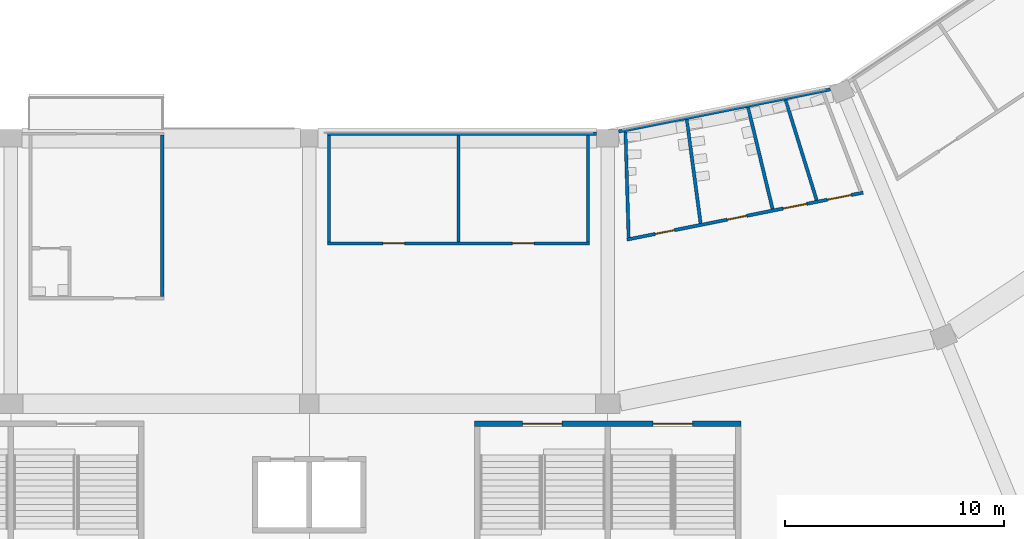
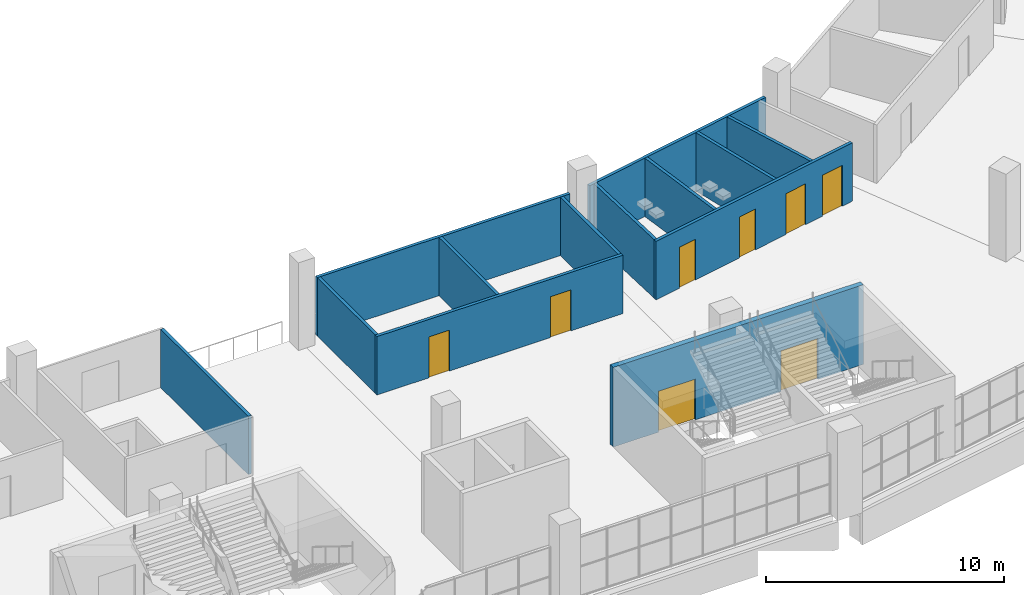
# One storey, part 76 of 199: 13 walls, 8 doors, 8 openings.
"""IFC4 building model written with IfcOpenShell, lengths in metres."""

import ifcopenshell
import ifcopenshell.guid

model = None  # the IFC model being written
_history = None  # IfcOwnerHistory: only IFC2X3 demands one
_inside = {}  # id of a spatial element -> (the spatial element, [elements in it])
_under = {}  # id of a project, library or spatial element -> (it, [spatial elements below it])
_declared = {}  # id of a project -> (the project, [libraries it declares])
_typed = {}  # id of a type object -> (the type object, [elements of that type])
_made_of = {}  # id of a material, layer set ... -> (it, [elements and type objects made of it])


def new_model(schema):
    """Start an empty IFC model of exactly this schema.

    Asked for "IFC4X3", IfcOpenShell would pick the latest addendum, in which some entities
    have other attributes; the version numbers below select the first issue.
    IFC2X3 requires an IfcOwnerHistory on every rooted entity: one is made here for all.
    """
    global model, _history
    if schema == "IFC4X3":
        model = ifcopenshell.file(schema_version=(4, 3, 0, 0))
    else:
        model = ifcopenshell.file(schema=schema)
    _inside.clear()
    _under.clear()
    _declared.clear()
    _typed.clear()
    _made_of.clear()
    _history = None
    if model.schema == "IFC2X3":
        org = make("IfcOrganization", Name="unknown")
        user = make(
            "IfcPersonAndOrganization",
            ThePerson=make("IfcPerson", FamilyName="unknown"),
            TheOrganization=org,
        )
        app = make(
            "IfcApplication",
            ApplicationDeveloper=org,
            Version="unknown",
            ApplicationFullName="unknown",
            ApplicationIdentifier="unknown",
        )
        _history = make(
            "IfcOwnerHistory",
            OwningUser=user,
            OwningApplication=app,
            ChangeAction="ADDED",
            CreationDate=0,
        )
    return model


def make(cls, **values):
    """One entity of the class cls with the attributes given. An attribute that is None is left unset."""
    return model.create_entity(
        cls, **{name: value for name, value in values.items() if value is not None}
    )


def rooted(cls, **values):
    """An entity with a GlobalId (a new one), such as an element, a storey or a relation."""
    return make(cls, GlobalId=ifcopenshell.guid.new(), OwnerHistory=_history, **values)


def si_unit(unit_type, name, prefix=None):
    """IfcSIUnit, for example si_unit("LENGTHUNIT", "METRE", prefix="MILLI")."""
    return make("IfcSIUnit", UnitType=unit_type, Prefix=prefix, Name=name)


def assignment(units):
    """IfcUnitAssignment: the units of a project."""
    return None if units is None else make("IfcUnitAssignment", Units=units)


def point(xyz):
    """IfcCartesianPoint."""
    return None if xyz is None else make("IfcCartesianPoint", Coordinates=xyz)


def direction(xyz):
    """IfcDirection."""
    return None if xyz is None else make("IfcDirection", DirectionRatios=xyz)


def frame(location, z_axis=None, x_axis=None):
    """IfcAxis2Placement3D, a coordinate frame: its origin and axes. An axis left out is left unset."""
    return make(
        "IfcAxis2Placement3D",
        Location=point(location),
        Axis=direction(z_axis),
        RefDirection=direction(x_axis),
    )


def frame_2d(location, x_axis=None):
    """IfcAxis2Placement2D, a coordinate frame in the plane: its origin and x axis."""
    return make(
        "IfcAxis2Placement2D", Location=point(location), RefDirection=direction(x_axis)
    )


def origin():
    """The frame at (0, 0, 0) with its axes left unset."""
    return frame((0.0, 0.0, 0.0))


def place(relative_to, where):
    """IfcLocalPlacement: puts the frame where relative to a parent placement (None: the world)."""
    return make(
        "IfcLocalPlacement", PlacementRelTo=relative_to, RelativePlacement=where
    )


def context(
    kind, dimensions, precision=None, world=None, true_north=None, identifier=None
):
    """IfcGeometricRepresentationContext, for example the 3D "Model" context."""
    return make(
        "IfcGeometricRepresentationContext",
        ContextIdentifier=identifier,
        ContextType=kind,
        CoordinateSpaceDimension=dimensions,
        Precision=precision,
        WorldCoordinateSystem=world,
        TrueNorth=true_north,
    )


def subcontext(parent, identifier, kind, view, scale=None):
    """IfcGeometricRepresentationSubContext, for example "Body" below "Model"."""
    return make(
        "IfcGeometricRepresentationSubContext",
        ContextIdentifier=identifier,
        ContextType=kind,
        ParentContext=parent,
        TargetScale=scale,
        TargetView=view,
    )


def project(units=None, contexts=None):
    """IfcProject with its units and contexts."""
    return rooted(
        "IfcProject",
        Name="project",
        RepresentationContexts=contexts,
        UnitsInContext=assignment(units),
    )


def spatial(cls, under=None, at=None, **own):
    """A site, building, storey or space (cls), placed at a placement, below another one or the project."""
    s = rooted(cls, ObjectPlacement=at, **own)
    if under is not None:
        _under.setdefault(under.id(), (under, []))[1].append(s)
    return s


def profile(cls, at=None, kind="AREA", **sizes):
    """A parametric profile (cls). Its sizes go by their IFC names, for example OverallWidth=200.0."""
    return make(cls, ProfileType=kind, Position=at, **sizes)


def rectangle(**sizes):
    """IfcRectangleProfileDef."""
    return profile("IfcRectangleProfileDef", **sizes)


def extrude(swept, where, along, depth):
    """IfcExtrudedAreaSolid: the profile swept, set in the frame where, extruded along a direction by depth."""
    return make(
        "IfcExtrudedAreaSolid",
        SweptArea=swept,
        Position=where,
        ExtrudedDirection=direction(along),
        Depth=depth,
    )


def shape(context_of_items, identifier, shape_type, items):
    """IfcShapeRepresentation: the items that make up one representation, for example the "Body"."""
    return make(
        "IfcShapeRepresentation",
        ContextOfItems=context_of_items,
        RepresentationIdentifier=identifier,
        RepresentationType=shape_type,
        Items=items,
    )


def material(Name=None, Category=None):
    """IfcMaterial."""
    return make("IfcMaterial", Name=Name, Category=Category)


def layer(
    of_material, thickness, ventilated=None, Name=None, Category=None, Priority=None
):
    """IfcMaterialLayer: one layer of a wall or slab, of a material (None: an air gap)."""
    return make(
        "IfcMaterialLayer",
        Material=of_material,
        LayerThickness=thickness,
        IsVentilated=ventilated,
        Name=Name,
        Category=Category,
        Priority=Priority,
    )


def layer_set(layers, Name=None):
    """IfcMaterialLayerSet."""
    return make("IfcMaterialLayerSet", MaterialLayers=layers, LayerSetName=Name)


def made_of(thing, what):
    """Note that an element or type object is made of a material, layer set ...; save() writes the relation."""
    if what is not None:
        _made_of.setdefault(what.id(), (what, []))[1].append(thing)
    return thing


def type_object(cls, material=None, **own):
    """A type object (cls), such as IfcWallType, which elements share."""
    return made_of(rooted(cls, **own), material)


def element(
    cls,
    number,
    at=None,
    inside=None,
    cuts=None,
    type_object=None,
    material=None,
    context=None,
    identifier="Body",
    shape_type=None,
    held_by="IfcProductDefinitionShape",
    body=None,
    shapes=None,
    **own,
):
    """One element of the class cls, such as IfcWall. Its Tag is "e" and its number.

    at: its placement. inside: the storey or other place that contains it. cuts: it is an
    opening in that element (IfcRelVoidsElement). A single representation is given by context,
    identifier, shape_type and body (its items); several are given by shapes. held_by: the class
    of the entity that holds the representations. save() writes the other relations.
    """
    e = rooted(cls, Tag="e%d" % number, ObjectPlacement=at, **own)
    if body is not None:
        shapes = [shape(context, identifier, shape_type, body)]
    if shapes is not None:
        e.Representation = make(held_by, Representations=shapes)
    if inside is not None:
        _inside.setdefault(inside.id(), (inside, []))[1].append(e)
    if cuts is not None:
        rooted(
            "IfcRelVoidsElement", RelatingBuildingElement=cuts, RelatedOpeningElement=e
        )
    if type_object is not None:
        _typed.setdefault(type_object.id(), (type_object, []))[1].append(e)
    return made_of(e, material)


def fill(opening, filler):
    """IfcRelFillsElement: the door or window that sits in an opening."""
    return rooted(
        "IfcRelFillsElement",
        RelatingOpeningElement=opening,
        RelatedBuildingElement=filler,
    )


def aggregate(whole, parts):
    """IfcRelAggregates: a whole, such as a stair, and the parts it consists of."""
    return rooted("IfcRelAggregates", RelatingObject=whole, RelatedObjects=parts)


def save(model, path):
    """Write the relations noted so far, then the file.

    IfcRelAggregates (storeys below a building ...), IfcRelContainedInSpatialStructure (elements
    in a storey), IfcRelDefinesByType, IfcRelAssociatesMaterial and IfcRelDeclares: one each for
    every whole, place, type object, material and project.
    """
    for whole, parts in _under.values():
        aggregate(whole, parts)
    for where, things in _inside.values():
        rooted(
            "IfcRelContainedInSpatialStructure",
            RelatedElements=things,
            RelatingStructure=where,
        )
    for kind, things in _typed.values():
        rooted("IfcRelDefinesByType", RelatedObjects=things, RelatingType=kind)
    for what, things in _made_of.values():
        rooted("IfcRelAssociatesMaterial", RelatedObjects=things, RelatingMaterial=what)
    for by, libraries in _declared.values():
        rooted("IfcRelDeclares", RelatingContext=by, RelatedDefinitions=libraries)
    model.write(path)


model = new_model("IFC4")

# Units and contexts
model_context = context("Model", 3, precision=1e-05, world=origin(), true_north=direction((0.0, 1.0)))
body_context = subcontext(model_context, "Body", "Model", "MODEL_VIEW")
ifc_project = project(units=[si_unit("LENGTHUNIT", "METRE"), si_unit("AREAUNIT", "SQUARE_METRE"), si_unit("VOLUMEUNIT", "CUBIC_METRE"), si_unit("PLANEANGLEUNIT", "RADIAN"), si_unit("MASSUNIT", "GRAM", prefix="KILO")], contexts=[model_context])

# Site, building, storey
site_placement = place(None, origin())
site = spatial("IfcSite", under=ifc_project, at=site_placement, CompositionType="ELEMENT")
building_placement = place(site_placement, origin())
building = spatial("IfcBuilding", under=site, at=building_placement, Name="Ogive Plaza Stadium", CompositionType="ELEMENT")
storey_placement = place(building_placement, frame((0.0, 0.0, 9.0)))
storey = spatial("IfcBuildingStorey", under=building, at=storey_placement, Name="L02", CompositionType="ELEMENT", Elevation=9.0)

# Wall
ifc_material_1 = material(Name="Masonry blockwork", Category="masonry")
ifc_layer_1 = layer(ifc_material_1, 0.14990234375)
ifc_layer_set_1 = layer_set([ifc_layer_1], Name="Blockwork wall 150")
wall_type_1 = type_object("IfcWallType", Name="Blockwork wall 150", PredefinedType="SOLIDWALL", material=ifc_layer_set_1)
wall_1_placement = place(storey_placement, frame((33.5, -80.199951171875, 0.0), z_axis=(0.0, 0.0, 1.0), x_axis=(-1.0, 0.0, 0.0)))
element("IfcWall", 1, at=wall_1_placement, inside=storey, type_object=wall_type_1, Name="Wall L02 B12", PredefinedType="SOLIDWALL", context=body_context, shape_type="SweptSolid", body=[
    extrude(rectangle(XDim=12.27490234375, YDim=0.14990234375, at=frame_2d((6.137451171875, 0.0))), origin(), (0.0, 0.0, 1.0), 3.0),
])

# Wall, openings, doors
wall_2_placement = place(storey_placement, frame((33.175048828125, -85.199951171875, 0.0), z_axis=(0.0, 0.0, 1.0), x_axis=(-1.0, 0.0, 0.0)))
wall_2 = element("IfcWall", 2, at=wall_2_placement, inside=storey, type_object=wall_type_1, Name="Wall L02 B12", PredefinedType="SOLIDWALL", context=body_context, shape_type="SweptSolid", body=[
    extrude(rectangle(XDim=11.949951171875, YDim=0.14990234375, at=frame_2d((5.97509765625, 0.0))), origin(), (0.0, 0.0, 1.0), 3.0),
])
opening_1_placement = place(wall_2_placement, frame((2.52490234375, 0.0, 0.0)))
opening_1 = element("IfcOpeningElement", 3, at=opening_1_placement, cuts=wall_2, Name="Opening D0655", PredefinedType="OPENING", context=body_context, shape_type="SweptSolid", body=[
    extrude(rectangle(XDim=1.0, YDim=2.10009765625, at=frame_2d((0.5, 1.050048828125))), frame((0.0, 0.074951171875, 0.0), z_axis=(0.0, -1.0, 0.0), x_axis=(1.0, 0.0, 0.0)), (0.0, 0.0, 1.0), 0.14990234375),
])
opening_2_placement = place(wall_2_placement, frame((8.425048828125, 0.0, 0.0)))
opening_2 = element("IfcOpeningElement", 4, at=opening_2_placement, cuts=wall_2, Name="Opening D0656", PredefinedType="OPENING", context=body_context, shape_type="SweptSolid", body=[
    extrude(rectangle(XDim=1.0, YDim=2.10009765625, at=frame_2d((0.5, 1.050048828125))), frame((0.0, 0.074951171875, 0.0), z_axis=(0.0, -1.0, 0.0), x_axis=(1.0, 0.0, 0.0)), (0.0, 0.0, 1.0), 0.14990234375),
])
ifc_material_2 = material(Name="Steel ASTM A572 Grade 50", Category="steel")
door_type_1 = type_object("IfcDoorType", Name="Fire door FD60 1000 x 2100", OperationType="SINGLE_SWING_LEFT", PredefinedType="DOOR", material=ifc_material_2)
door_1_placement = place(opening_1_placement, origin())
door_1 = element("IfcDoor", 5, at=door_1_placement, inside=storey, type_object=door_type_1, Name="Hospitality Pantry B12 door", OperationType="SINGLE_SWING_RIGHT", OverallHeight=2.10009765625, OverallWidth=1.0, PredefinedType="DOOR", context=body_context, shape_type="SweptSolid", body=[
    extrude(rectangle(XDim=1.0, YDim=2.10009765625, at=frame_2d((0.5, 1.050048828125))), frame((0.0, 0.02490234375, 0.0), z_axis=(0.0, -1.0, 0.0), x_axis=(1.0, 0.0, 0.0)), (0.0, 0.0, 1.0), 0.050048828125),
])
fill(opening_1, door_1)
door_2_placement = place(opening_2_placement, origin())
door_2 = element("IfcDoor", 6, at=door_2_placement, inside=storey, type_object=door_type_1, Name="Hospitality Store B12 door", OperationType="SINGLE_SWING_LEFT", OverallHeight=2.10009765625, OverallWidth=1.0, PredefinedType="DOOR", context=body_context, shape_type="SweptSolid", body=[
    extrude(rectangle(XDim=1.0, YDim=2.10009765625, at=frame_2d((0.5, 1.050048828125))), frame((0.0, 0.02490234375, 0.0), z_axis=(0.0, -1.0, 0.0), x_axis=(1.0, 0.0, 0.0)), (0.0, 0.0, 1.0), 0.050048828125),
])
fill(opening_2, door_2)

# Walls
for number, where, z_axis, x_axis, name in (
    (7, (33.10009765625, -80.27490234375, 0.0), (0.0, 0.0, 1.0), (0.0, -1.0, 0.0), "Wall L02 B12"),
    (8, (27.199951171875, -80.27490234375, 0.0), (0.0, 0.0, 1.0), (0.0, -1.0, 0.0), "Wall L02 B12"),
    (9, (21.300048828125, -80.27490234375, 0.0), (0.0, 0.0, 1.0), (0.0, -1.0, 0.0), "Wall L02 B12"),
):
    element("IfcWall", number, at=place(storey_placement, frame(where, z_axis=z_axis, x_axis=x_axis)), inside=storey, type_object=wall_type_1, Name=name, PredefinedType="SOLIDWALL", context=body_context, shape_type="SweptSolid", body=[
        extrude(rectangle(XDim=4.85009765625, YDim=0.14990234375, at=frame_2d((2.425048828125, 0.0))), origin(), (0.0, 0.0, 1.0), 3.0),
    ])
wall_3_placement = place(storey_placement, frame((13.699951171875, -80.25, 0.0), z_axis=(0.0, 0.0, 1.0), x_axis=(0.0, -1.0, 0.0)))
element("IfcWall", 10, at=wall_3_placement, inside=storey, type_object=wall_type_1, Name="Wall L02 B13", PredefinedType="SOLIDWALL", context=body_context, shape_type="SweptSolid", body=[
    extrude(rectangle(XDim=7.375, YDim=0.14990234375, at=frame_2d((3.6875, 0.0))), origin(), (0.0, 0.0, 1.0), 3.0),
])

# Wall, openings, doors
ifc_material_3 = material(Name="Concrete C40/50", Category="concrete")
ifc_layer_2 = layer(ifc_material_3, 0.25)
ifc_layer_set_2 = layer_set([ifc_layer_2], Name="Concrete C40/50")
wall_type_2 = type_object("IfcWallType", Name="Core wall 250", PredefinedType="SHEAR", material=ifc_layer_set_2)
wall_4_placement = place(storey_placement, frame((27.925048828125, -93.425048828125, 0.0), z_axis=(0.0, 0.0, 1.0), x_axis=(1.0, 0.0, 0.0)))
wall_4 = element("IfcWall", 11, at=wall_4_placement, inside=storey, type_object=wall_type_2, Name="Stair core R12 inner wall", PredefinedType="SHEAR", context=body_context, shape_type="SweptSolid", body=[
    extrude(rectangle(XDim=12.14990234375, YDim=0.25, at=frame_2d((6.074951171875, 0.0))), origin(), (0.0, 0.0, 1.0), 4.090087890625),
])
opening_3_placement = place(wall_4_placement, frame((2.199951171875, 0.0, 0.0)))
opening_3 = element("IfcOpeningElement", 12, at=opening_3_placement, cuts=wall_4, Name="Opening D0111", PredefinedType="OPENING", context=body_context, shape_type="SweptSolid", body=[
    extrude(rectangle(XDim=1.800048828125, YDim=2.10009765625, at=frame_2d((0.89990234375, 1.050048828125))), frame((0.0, 0.125, 0.0), z_axis=(0.0, -1.0, 0.0), x_axis=(1.0, 0.0, 0.0)), (0.0, 0.0, 1.0), 0.25),
])
opening_4_placement = place(wall_4_placement, frame((8.14990234375, 0.0, 0.0)))
opening_4 = element("IfcOpeningElement", 13, at=opening_4_placement, cuts=wall_4, Name="Opening D0112", PredefinedType="OPENING", context=body_context, shape_type="SweptSolid", body=[
    extrude(rectangle(XDim=1.800048828125, YDim=2.10009765625, at=frame_2d((0.89990234375, 1.050048828125))), frame((0.0, 0.125, 0.0), z_axis=(0.0, -1.0, 0.0), x_axis=(1.0, 0.0, 0.0)), (0.0, 0.0, 1.0), 0.25),
])
ifc_material_4 = material(Name="Steel ASTM A572 Grade 50", Category="steel")
door_type_2 = type_object("IfcDoorType", Name="Fire door FD90 pair 1800 x 2100", OperationType="DOUBLE_DOOR_SINGLE_SWING", PredefinedType="DOOR", material=ifc_material_4)
door_3_placement = place(opening_3_placement, origin())
door_3 = element("IfcDoor", 14, at=door_3_placement, inside=storey, type_object=door_type_2, Name="Exit stair R12A door L02", OperationType="DOUBLE_DOOR_SINGLE_SWING", OverallHeight=2.10009765625, OverallWidth=1.800048828125, PredefinedType="DOOR", context=body_context, shape_type="SweptSolid", body=[
    extrude(rectangle(XDim=1.800048828125, YDim=2.10009765625, at=frame_2d((0.89990234375, 1.050048828125))), frame((0.0, 0.02490234375, 0.0), z_axis=(0.0, -1.0, 0.0), x_axis=(1.0, 0.0, 0.0)), (0.0, 0.0, 1.0), 0.050048828125),
])
fill(opening_3, door_3)
door_4_placement = place(opening_4_placement, origin())
door_4 = element("IfcDoor", 15, at=door_4_placement, inside=storey, type_object=door_type_2, Name="Exit stair R12B door L02", OperationType="DOUBLE_DOOR_SINGLE_SWING", OverallHeight=2.10009765625, OverallWidth=1.800048828125, PredefinedType="DOOR", context=body_context, shape_type="SweptSolid", body=[
    extrude(rectangle(XDim=1.800048828125, YDim=2.10009765625, at=frame_2d((0.89990234375, 1.050048828125))), frame((0.0, 0.02490234375, 0.0), z_axis=(0.0, -1.0, 0.0), x_axis=(1.0, 0.0, 0.0)), (0.0, 0.0, 1.0), 0.050048828125),
])
fill(opening_4, door_4)

# Wall
ifc_material_5 = material(Name="Gypsum board partition", Category="gypsum")
ifc_layer_3 = layer(ifc_material_5, 0.14990234375)
ifc_layer_set_3 = layer_set([ifc_layer_3], Name="Partition 150")
wall_type_3 = type_object("IfcWallType", Name="Partition 150", PredefinedType="PARTITIONING", material=ifc_layer_set_3)
wall_5_placement = place(storey_placement, frame((34.5, -80.1005859375, 0.0), z_axis=(0.0, 0.0, 1.0), x_axis=(0.980783419557, 0.195099676887, 0.0)))
element("IfcWall", 16, at=wall_5_placement, inside=storey, type_object=wall_type_3, Name="Wall L02 B11", PredefinedType="PARTITIONING", context=body_context, shape_type="SweptSolid", body=[
    extrude(rectangle(XDim=9.83935546875, YDim=0.14990234375, at=frame_2d((4.919677734375, 0.0))), origin(), (0.0, 0.0, 1.0), 3.0),
])

# Wall, openings, doors
wall_6_placement = place(storey_placement, frame((34.876220703125, -85.025634765625, 0.0), z_axis=(0.0, 0.0, 1.0), x_axis=(0.980788934186, 0.195071952313, 0.0)))
wall_6 = element("IfcWall", 17, at=wall_6_placement, inside=storey, type_object=wall_type_3, Name="Wall L02 B11", PredefinedType="PARTITIONING", context=body_context, shape_type="SweptSolid", body=[
    extrude(rectangle(XDim=10.97216796875, YDim=0.14990234375, at=frame_2d((5.486083984375, 0.0))), origin(), (0.0, 0.0, 1.0), 3.0),
])
opening_5_placement = place(wall_6_placement, frame((1.306640625, 0.0, 0.0)))
opening_5 = element("IfcOpeningElement", 18, at=opening_5_placement, cuts=wall_6, Name="Opening D0651", PredefinedType="OPENING", context=body_context, shape_type="SweptSolid", body=[
    extrude(rectangle(XDim=0.89990234375, YDim=2.10009765625, at=frame_2d((0.449951171875, 1.050048828125))), frame((0.0, 0.074951171875, 0.0), z_axis=(0.0, -1.0, 0.0), x_axis=(1.0, 0.0, 0.0)), (0.0, 0.0, 1.0), 0.14990234375),
])
opening_6_placement = place(wall_6_placement, frame((4.65771484375, 0.0, 0.0)))
opening_6 = element("IfcOpeningElement", 19, at=opening_6_placement, cuts=wall_6, Name="Opening D0652", PredefinedType="OPENING", context=body_context, shape_type="SweptSolid", body=[
    extrude(rectangle(XDim=0.89990234375, YDim=2.10009765625, at=frame_2d((0.449951171875, 1.050048828125))), frame((0.0, 0.074951171875, 0.0), z_axis=(0.0, -1.0, 0.0), x_axis=(1.0, 0.0, 0.0)), (0.0, 0.0, 1.0), 0.14990234375),
])
opening_7_placement = place(wall_6_placement, frame((7.26025390625, 0.0, 0.0)))
opening_7 = element("IfcOpeningElement", 20, at=opening_7_placement, cuts=wall_6, Name="Opening D0653", PredefinedType="OPENING", context=body_context, shape_type="SweptSolid", body=[
    extrude(rectangle(XDim=1.10009765625, YDim=2.10009765625, at=frame_2d((0.550048828125, 1.050048828125))), frame((0.0, 0.074951171875, 0.0), z_axis=(0.0, -1.0, 0.0), x_axis=(1.0, 0.0, 0.0)), (0.0, 0.0, 1.0), 0.14990234375),
])
opening_8_placement = place(wall_6_placement, frame((9.314208984375, 0.0, 0.0)))
opening_8 = element("IfcOpeningElement", 21, at=opening_8_placement, cuts=wall_6, Name="Opening D0654", PredefinedType="OPENING", context=body_context, shape_type="SweptSolid", body=[
    extrude(rectangle(XDim=1.10009765625, YDim=2.10009765625, at=frame_2d((0.550048828125, 1.050048828125))), frame((0.0, 0.074951171875, 0.0), z_axis=(0.0, -1.0, 0.0), x_axis=(1.0, 0.0, 0.0)), (0.0, 0.0, 1.0), 0.14990234375),
])
ifc_material_6 = material(Name="Steel ASTM A572 Grade 50", Category="steel")
door_type_3 = type_object("IfcDoorType", Name="Accessible door 1100 x 2100", OperationType="SINGLE_SWING_LEFT", PredefinedType="DOOR", material=ifc_material_6)
door_5_placement = place(opening_7_placement, origin())
door_5 = element("IfcDoor", 22, at=door_5_placement, inside=storey, type_object=door_type_3, Name="Accessible WC B11 door", OperationType="SINGLE_SWING_LEFT", OverallHeight=2.10009765625, OverallWidth=1.10009765625, PredefinedType="DOOR", context=body_context, shape_type="SweptSolid", body=[
    extrude(rectangle(XDim=1.10009765625, YDim=2.10009765625, at=frame_2d((0.550048828125, 1.050048828125))), frame((0.0, 0.02490234375, 0.0), z_axis=(0.0, -1.0, 0.0), x_axis=(1.0, 0.0, 0.0)), (0.0, 0.0, 1.0), 0.050048828125),
])
fill(opening_7, door_5)
door_6_placement = place(opening_8_placement, origin())
door_6 = element("IfcDoor", 23, at=door_6_placement, inside=storey, type_object=door_type_3, Name="Family WC B11 door", OperationType="SINGLE_SWING_LEFT", OverallHeight=2.10009765625, OverallWidth=1.10009765625, PredefinedType="DOOR", context=body_context, shape_type="SweptSolid", body=[
    extrude(rectangle(XDim=1.10009765625, YDim=2.10009765625, at=frame_2d((0.550048828125, 1.050048828125))), frame((0.0, 0.02490234375, 0.0), z_axis=(0.0, -1.0, 0.0), x_axis=(1.0, 0.0, 0.0)), (0.0, 0.0, 1.0), 0.050048828125),
])
fill(opening_8, door_6)
ifc_material_7 = material(Name="Steel ASTM A572 Grade 50", Category="steel")
door_type_4 = type_object("IfcDoorType", Name="Door 900 x 2100", OperationType="SINGLE_SWING_LEFT", PredefinedType="DOOR", material=ifc_material_7)
door_7_placement = place(opening_5_placement, origin())
door_7 = element("IfcDoor", 24, at=door_7_placement, inside=storey, type_object=door_type_4, Name="Men's Toilet B11 door", OperationType="SINGLE_SWING_RIGHT", OverallHeight=2.10009765625, OverallWidth=0.89990234375, PredefinedType="DOOR", context=body_context, shape_type="SweptSolid", body=[
    extrude(rectangle(XDim=0.89990234375, YDim=2.10009765625, at=frame_2d((0.449951171875, 1.050048828125))), frame((0.0, 0.02490234375, 0.0), z_axis=(0.0, -1.0, 0.0), x_axis=(1.0, 0.0, 0.0)), (0.0, 0.0, 1.0), 0.050048828125),
])
fill(opening_5, door_7)
door_8_placement = place(opening_6_placement, origin())
door_8 = element("IfcDoor", 25, at=door_8_placement, inside=storey, type_object=door_type_4, Name="Women's Toilet B11 door", OperationType="SINGLE_SWING_RIGHT", OverallHeight=2.10009765625, OverallWidth=0.89990234375, PredefinedType="DOOR", context=body_context, shape_type="SweptSolid", body=[
    extrude(rectangle(XDim=0.89990234375, YDim=2.10009765625, at=frame_2d((0.449951171875, 1.050048828125))), frame((0.0, 0.02490234375, 0.0), z_axis=(0.0, -1.0, 0.0), x_axis=(1.0, 0.0, 0.0)), (0.0, 0.0, 1.0), 0.050048828125),
])
fill(opening_6, door_8)

# Walls
wall_7_placement = place(storey_placement, frame((34.811767578125, -80.113525390625, 0.0), z_axis=(0.0, 0.0, 1.0), x_axis=(0.029405000692, -0.999567579473, 0.0)))
element("IfcWall", 26, at=wall_7_placement, inside=storey, type_object=wall_type_3, Name="Wall L02 B11", PredefinedType="PARTITIONING", context=body_context, shape_type="SweptSolid", body=[
    extrude(rectangle(XDim=4.823974609375, YDim=0.14990234375, at=frame_2d((2.412109375, 0.0))), origin(), (0.0, 0.0, 1.0), 3.0),
])
wall_8_placement = place(storey_placement, frame((37.603515625, -79.55810546875, 0.0), z_axis=(0.0, 0.0, 1.0), x_axis=(0.131992613728, -0.991250699834, 0.0)))
element("IfcWall", 27, at=wall_8_placement, inside=storey, type_object=wall_type_3, Name="Wall L02 B11", PredefinedType="PARTITIONING", context=body_context, shape_type="SweptSolid", body=[
    extrude(rectangle(XDim=4.7666015625, YDim=0.14990234375, at=frame_2d((2.38330078125, 0.0))), origin(), (0.0, 0.0, 1.0), 3.0),
])
wall_9_placement = place(storey_placement, frame((40.395263671875, -79.0029296875, 0.0), z_axis=(0.0, 0.0, 1.0), x_axis=(0.234563667056, -0.972100759231, 0.0)))
element("IfcWall", 28, at=wall_9_placement, inside=storey, type_object=wall_type_3, Name="Wall L02 B11", PredefinedType="PARTITIONING", context=body_context, shape_type="SweptSolid", body=[
    extrude(rectangle(XDim=4.7607421875, YDim=0.14990234375, at=frame_2d((2.38037109375, 0.0))), origin(), (0.0, 0.0, 1.0), 3.0),
])
wall_10_placement = place(storey_placement, frame((42.106201171875, -78.66259765625, 0.0), z_axis=(0.0, 0.0, 1.0), x_axis=(0.295972093403, -0.955196587058, 0.0)))
element("IfcWall", 29, at=wall_10_placement, inside=storey, type_object=wall_type_3, Name="Wall L02 B11", PredefinedType="PARTITIONING", context=body_context, shape_type="SweptSolid", body=[
    extrude(rectangle(XDim=4.78271484375, YDim=0.14990234375, at=frame_2d((2.391357421875, 0.0))), origin(), (0.0, 0.0, 1.0), 3.0),
])

save(model, "model.ifc")
